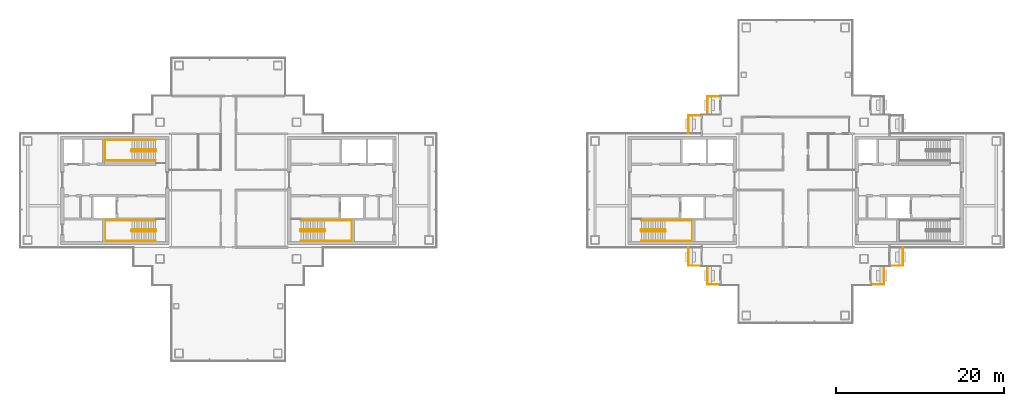
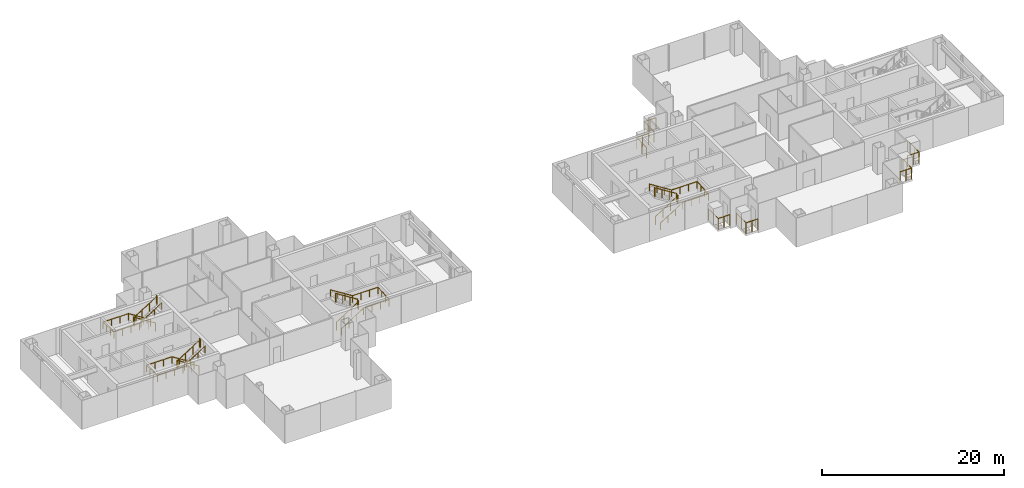
# One storey, part 14 of 16: 14 railings.
"""IFC4 building model written with IfcOpenShell, lengths in metres."""

from ifc_helpers import new_model, si_unit, direction, frame, origin, origin_2d, place, context, subcontext, project, spatial, circle, extrude, material, type_object, element, save


model = new_model("IFC4")

# Units and contexts
model_context = context("Model", 3, precision=1e-05, world=origin(), true_north=direction((0.0, 1.0)))
body_context = subcontext(model_context, "Body", "Model", "MODEL_VIEW")
ifc_project = project(units=[si_unit("LENGTHUNIT", "METRE"), si_unit("AREAUNIT", "SQUARE_METRE"), si_unit("VOLUMEUNIT", "CUBIC_METRE"), si_unit("PLANEANGLEUNIT", "RADIAN"), si_unit("MASSUNIT", "GRAM", prefix="KILO")], contexts=[model_context])

# Site, building, storey
site_placement = place(None, origin())
site = spatial("IfcSite", under=ifc_project, at=site_placement, CompositionType="ELEMENT")
building_placement = place(site_placement, origin())
building = spatial("IfcBuilding", under=site, at=building_placement, Name="Shamsa Quay Exchange Towers", CompositionType="ELEMENT")
storey_placement = place(building_placement, frame((0.0, 0.0, 213.89990234375)))
storey = spatial("IfcBuildingStorey", under=building, at=storey_placement, Name="L51", CompositionType="ELEMENT", Elevation=213.89990234375)

# Railings
ifc_material_1 = material(Name="Steel S355, black powder-coated", Category="steel")
railing_type_1 = type_object("IfcRailingType", Name="BALCONY GUARD 1500", PredefinedType="GUARDRAIL", material=ifc_material_1)
for number, where, name in (
    (1, (24.72900390625, 11.199951171875, 0.0), "Balcony guard T2-PKEN L51"),
    (2, (22.47900390625, 8.949951171875, 0.0), "Balcony guard T2-PKEN L51"),
):
    element("IfcRailing", number, at=place(storey_placement, frame(where)), inside=storey, type_object=railing_type_1, Name=name, PredefinedType="GUARDRAIL", context=body_context, shape_type="SweptSolid", body=[
        extrude(circle(Radius=0.02392578125, at=origin_2d()), frame((0.0, 0.0, 1.47607421875), z_axis=(-1.0, 0.0, 0.0), x_axis=(0.0, -1.0, 0.0)), (0.0, 0.0, 1.0), 1.47900390625),
        extrude(circle(Radius=0.02392578125, at=origin_2d()), frame((-1.47900390625, 0.0, 1.47607421875), z_axis=(0.0, -1.0, 0.0), x_axis=(1.0, 0.0, 0.0)), (0.0, 0.0, 1.0), 2.161865234375),
        extrude(circle(Radius=0.02099609375, at=origin_2d()), origin(), (0.0, 0.0, 1.0), 1.451904296875),
        extrude(circle(Radius=0.02099609375, at=origin_2d()), frame((-0.739501953125, 0.0, 0.0)), (0.0, 0.0, 1.0), 1.451904296875),
        extrude(circle(Radius=0.02099609375, at=origin_2d()), frame((-1.47900390625, 0.0, 0.0)), (0.0, 0.0, 1.0), 1.451904296875),
        extrude(circle(Radius=0.02099609375, at=origin_2d()), frame((-1.47900390625, -1.0810546875, 0.0)), (0.0, 0.0, 1.0), 1.451904296875),
        extrude(circle(Radius=0.02099609375, at=origin_2d()), frame((-1.47900390625, -2.161865234375, 0.0)), (0.0, 0.0, 1.0), 1.451904296875),
    ])
for number, where, name in (
    (3, (21.0, -6.7880859375, 0.0), "Balcony guard T2-PKWN L51"),
    (4, (23.25, -9.0380859375, 0.0), "Balcony guard T2-PKWN L51"),
):
    element("IfcRailing", number, at=place(storey_placement, frame(where)), inside=storey, type_object=railing_type_1, Name=name, PredefinedType="GUARDRAIL", context=body_context, shape_type="SweptSolid", body=[
        extrude(circle(Radius=0.02392578125, at=origin_2d()), frame((0.0, 0.0, 1.47607421875), z_axis=(0.0, -1.0, 0.0), x_axis=(1.0, 0.0, 0.0)), (0.0, 0.0, 1.0), 2.161865234375),
        extrude(circle(Radius=0.02392578125, at=origin_2d()), frame((0.0, -2.161865234375, 1.47607421875), z_axis=(1.0, 0.0, 0.0), x_axis=(0.0, 1.0, 0.0)), (0.0, 0.0, 1.0), 1.47900390625),
        extrude(circle(Radius=0.02099609375, at=origin_2d()), origin(), (0.0, 0.0, 1.0), 1.451904296875),
        extrude(circle(Radius=0.02099609375, at=origin_2d()), frame((0.0, -1.0810546875, 0.0)), (0.0, 0.0, 1.0), 1.451904296875),
        extrude(circle(Radius=0.02099609375, at=origin_2d()), frame((0.0, -2.161865234375, 0.0)), (0.0, 0.0, 1.0), 1.451904296875),
        extrude(circle(Radius=0.02099609375, at=origin_2d()), frame((0.739501953125, -2.161865234375, 0.0)), (0.0, 0.0, 1.0), 1.451904296875),
        extrude(circle(Radius=0.02099609375, at=origin_2d()), frame((1.47900390625, -2.161865234375, 0.0)), (0.0, 0.0, 1.0), 1.451904296875),
    ])
for number, where, name in (
    (5, (42.77099609375, -11.199951171875, 0.0), "Balcony guard T2-PKWS L51"),
    (6, (45.02099609375, -8.949951171875, 0.0), "Balcony guard T2-PKWS L51"),
):
    element("IfcRailing", number, at=place(storey_placement, frame(where)), inside=storey, type_object=railing_type_1, Name=name, PredefinedType="GUARDRAIL", context=body_context, shape_type="SweptSolid", body=[
        extrude(circle(Radius=0.02392578125, at=origin_2d()), frame((0.0, 0.0, 1.47607421875), z_axis=(1.0, 0.0, 0.0), x_axis=(0.0, 1.0, 0.0)), (0.0, 0.0, 1.0), 1.47900390625),
        extrude(circle(Radius=0.02392578125, at=origin_2d()), frame((1.47900390625, 0.0, 1.47607421875), z_axis=(0.0, 1.0, 0.0), x_axis=(-1.0, 0.0, 0.0)), (0.0, 0.0, 1.0), 2.161865234375),
        extrude(circle(Radius=0.02099609375, at=origin_2d()), origin(), (0.0, 0.0, 1.0), 1.451904296875),
        extrude(circle(Radius=0.02099609375, at=origin_2d()), frame((0.739501953125, 0.0, 0.0)), (0.0, 0.0, 1.0), 1.451904296875),
        extrude(circle(Radius=0.02099609375, at=origin_2d()), frame((1.47900390625, 0.0, 0.0)), (0.0, 0.0, 1.0), 1.451904296875),
        extrude(circle(Radius=0.02099609375, at=origin_2d()), frame((1.47900390625, 1.0810546875, 0.0)), (0.0, 0.0, 1.0), 1.451904296875),
        extrude(circle(Radius=0.02099609375, at=origin_2d()), frame((1.47900390625, 2.161865234375, 0.0)), (0.0, 0.0, 1.0), 1.451904296875),
    ])
ifc_material_2 = material(Name="Stainless steel", Category="steel")
railing_type_2 = type_object("IfcRailingType", Name="STAIR GUARD 1100", PredefinedType="GUARDRAIL", material=ifc_material_2)
railing_1_placement = place(storey_placement, frame((-25.10009765625, -4.89990234375, 0.177490234375)))
element("IfcRailing", 7, at=railing_1_placement, inside=storey, type_object=railing_type_2, Name="L51 ST1 stair guard 1", PredefinedType="GUARDRAIL", context=body_context, shape_type="SweptSolid", body=[
    extrude(circle(Radius=0.02392578125, at=origin_2d()), frame((0.0, 0.0, 1.076171875), z_axis=(0.844908973607, 0.0, 0.534910110503), x_axis=(0.0, 1.0, 0.0)), (0.0, 0.0, 1.0), 3.31396484375),
    extrude(circle(Radius=0.02392578125, at=origin_2d()), frame((2.800048828125, 0.0, 2.8486328125), z_axis=(0.708833529934, 0.705375805398, 0.0), x_axis=(-0.705375805398, 0.708833529934, 0.0)), (0.0, 0.0, 1.0), 0.070556640625),
    extrude(circle(Radius=0.02392578125, at=origin_2d()), frame((2.85009765625, 0.0498046875, 2.8486328125), z_axis=(0.0, 1.0, 0.0), x_axis=(-1.0, 0.0, 0.0)), (0.0, 0.0, 1.0), 0.150146484375),
    extrude(circle(Radius=0.02392578125, at=origin_2d()), frame((2.85009765625, 0.199951171875, 2.8486328125), z_axis=(-0.262233686654, 0.262233686654, 0.928691007369), x_axis=(-0.707106781187, -0.707106781187, 0.0)), (0.0, 0.0, 1.0), 0.19091796875),
    extrude(circle(Radius=0.02392578125, at=origin_2d()), frame((2.800048828125, 0.25, 3.02587890625), z_axis=(-0.844908973607, 0.0, 0.534910110503), x_axis=(0.0, -1.0, 0.0)), (0.0, 0.0, 1.0), 3.31396484375),
    extrude(circle(Radius=0.02392578125, at=origin_2d()), frame((0.0, 0.25, 4.798828125), z_axis=(-0.24142163986, -0.970420317083, 0.0), x_axis=(0.970420317083, -0.24142163986, 0.0)), (0.0, 0.0, 1.0), 0.206298828125),
    extrude(circle(Radius=0.02392578125, at=origin_2d()), frame((-0.0498046875, 0.0498046875, 4.798828125), z_axis=(0.0, 1.0, 0.0), x_axis=(-1.0, 0.0, 0.0)), (0.0, 0.0, 1.0), 0.150146484375),
    extrude(circle(Radius=0.02099609375, at=origin_2d()), origin(), (0.0, 0.0, 1.0), 1.052001953125),
    extrude(circle(Radius=0.02099609375, at=origin_2d()), frame((0.933349609375, 0.0, 0.5908203125)), (0.0, 0.0, 1.0), 1.052001953125),
    extrude(circle(Radius=0.02099609375, at=origin_2d()), frame((1.86669921875, 0.0, 1.181884765625)), (0.0, 0.0, 1.0), 1.052001953125),
    extrude(circle(Radius=0.02099609375, at=origin_2d()), frame((2.800048828125, 0.0, 1.772705078125)), (0.0, 0.0, 1.0), 1.052001953125),
    extrude(circle(Radius=0.02099609375, at=origin_2d()), frame((2.85009765625, 0.0498046875, 1.772705078125)), (0.0, 0.0, 1.0), 1.052001953125),
    extrude(circle(Radius=0.02099609375, at=origin_2d()), frame((2.85009765625, 0.199951171875, 1.772705078125)), (0.0, 0.0, 1.0), 1.052001953125),
    extrude(circle(Radius=0.02099609375, at=origin_2d()), frame((2.800048828125, 0.25, 1.949951171875)), (0.0, 0.0, 1.0), 1.052001953125),
    extrude(circle(Radius=0.02099609375, at=origin_2d()), frame((1.86669921875, 0.25, 2.540771484375)), (0.0, 0.0, 1.0), 1.052001953125),
    extrude(circle(Radius=0.02099609375, at=origin_2d()), frame((0.933349609375, 0.25, 3.1318359375)), (0.0, 0.0, 1.0), 1.052001953125),
    extrude(circle(Radius=0.02099609375, at=origin_2d()), frame((0.0, 0.25, 3.72265625)), (0.0, 0.0, 1.0), 1.052001953125),
    extrude(circle(Radius=0.02099609375, at=origin_2d()), frame((-0.0498046875, 0.0498046875, 3.72265625)), (0.0, 0.0, 1.0), 1.052001953125),
    extrude(circle(Radius=0.02099609375, at=origin_2d()), frame((-0.0498046875, 0.199951171875, 3.72265625)), (0.0, 0.0, 1.0), 1.052001953125),
])
railing_2_placement = place(storey_placement, frame((-42.39990234375, -4.64990234375, 0.177490234375)))
element("IfcRailing", 8, at=railing_2_placement, inside=storey, type_object=railing_type_2, Name="L51 ST2 stair guard 1", PredefinedType="GUARDRAIL", context=body_context, shape_type="SweptSolid", body=[
    extrude(circle(Radius=0.02392578125, at=origin_2d()), frame((0.0, 0.0, 1.076171875), z_axis=(-0.844908973607, 0.0, 0.534910110503), x_axis=(0.0, -1.0, 0.0)), (0.0, 0.0, 1.0), 3.31396484375),
    extrude(circle(Radius=0.02392578125, at=origin_2d()), frame((-2.800048828125, 0.0, 2.8486328125), z_axis=(-0.707106781187, -0.707106781187, 0.0), x_axis=(0.707106781187, -0.707106781187, 0.0)), (0.0, 0.0, 1.0), 0.07080078125),
    extrude(circle(Radius=0.02392578125, at=origin_2d()), frame((-2.85009765625, -0.050048828125, 2.8486328125), z_axis=(0.0, -1.0, 0.0), x_axis=(1.0, 0.0, 0.0)), (0.0, 0.0, 1.0), 0.150146484375),
    extrude(circle(Radius=0.02392578125, at=origin_2d()), frame((-2.85009765625, -0.2001953125, 2.8486328125), z_axis=(0.262321481514, -0.261041864531, 0.929001929653), x_axis=(0.705375805398, 0.708833529934, 0.0)), (0.0, 0.0, 1.0), 0.190673828125),
    extrude(circle(Radius=0.02392578125, at=origin_2d()), frame((-2.800048828125, -0.25, 3.02587890625), z_axis=(0.844908973607, 0.0, 0.534910110503), x_axis=(0.0, 1.0, 0.0)), (0.0, 0.0, 1.0), 3.31396484375),
    extrude(circle(Radius=0.02392578125, at=origin_2d()), frame((0.0, -0.25, 4.798828125), z_axis=(0.241699205484, 0.970351222016, 0.0), x_axis=(-0.970351222016, 0.241699205484, 0.0)), (0.0, 0.0, 1.0), 0.2060546875),
    extrude(circle(Radius=0.02392578125, at=origin_2d()), frame((0.0498046875, -0.050048828125, 4.798828125), z_axis=(0.0, -1.0, 0.0), x_axis=(1.0, 0.0, 0.0)), (0.0, 0.0, 1.0), 0.150146484375),
    extrude(circle(Radius=0.02099609375, at=origin_2d()), origin(), (0.0, 0.0, 1.0), 1.052001953125),
    extrude(circle(Radius=0.02099609375, at=origin_2d()), frame((-0.933349609375, 0.0, 0.5908203125)), (0.0, 0.0, 1.0), 1.052001953125),
    extrude(circle(Radius=0.02099609375, at=origin_2d()), frame((-1.86669921875, 0.0, 1.181884765625)), (0.0, 0.0, 1.0), 1.052001953125),
    extrude(circle(Radius=0.02099609375, at=origin_2d()), frame((-2.800048828125, 0.0, 1.772705078125)), (0.0, 0.0, 1.0), 1.052001953125),
    extrude(circle(Radius=0.02099609375, at=origin_2d()), frame((-2.85009765625, -0.050048828125, 1.772705078125)), (0.0, 0.0, 1.0), 1.052001953125),
    extrude(circle(Radius=0.02099609375, at=origin_2d()), frame((-2.85009765625, -0.2001953125, 1.772705078125)), (0.0, 0.0, 1.0), 1.052001953125),
    extrude(circle(Radius=0.02099609375, at=origin_2d()), frame((-2.800048828125, -0.25, 1.949951171875)), (0.0, 0.0, 1.0), 1.052001953125),
    extrude(circle(Radius=0.02099609375, at=origin_2d()), frame((-1.86669921875, -0.25, 2.540771484375)), (0.0, 0.0, 1.0), 1.052001953125),
    extrude(circle(Radius=0.02099609375, at=origin_2d()), frame((-0.933349609375, -0.25, 3.1318359375)), (0.0, 0.0, 1.0), 1.052001953125),
    extrude(circle(Radius=0.02099609375, at=origin_2d()), frame((0.0, -0.25, 3.72265625)), (0.0, 0.0, 1.0), 1.052001953125),
    extrude(circle(Radius=0.02099609375, at=origin_2d()), frame((0.0498046875, -0.050048828125, 3.72265625)), (0.0, 0.0, 1.0), 1.052001953125),
    extrude(circle(Radius=0.02099609375, at=origin_2d()), frame((0.0498046875, -0.2001953125, 3.72265625)), (0.0, 0.0, 1.0), 1.052001953125),
])
railing_3_placement = place(storey_placement, frame((-42.39990234375, 4.89990234375, 0.177490234375)))
element("IfcRailing", 9, at=railing_3_placement, inside=storey, type_object=railing_type_2, Name="L51 ST3 stair guard 1", PredefinedType="GUARDRAIL", context=body_context, shape_type="SweptSolid", body=[
    extrude(circle(Radius=0.02392578125, at=origin_2d()), frame((0.0, 0.0, 1.076171875), z_axis=(-0.844908973607, 0.0, 0.534910110503), x_axis=(0.0, -1.0, 0.0)), (0.0, 0.0, 1.0), 3.31396484375),
    extrude(circle(Radius=0.02392578125, at=origin_2d()), frame((-2.800048828125, 0.0, 2.8486328125), z_axis=(-0.708833529934, -0.705375805398, 0.0), x_axis=(0.705375805398, -0.708833529934, 0.0)), (0.0, 0.0, 1.0), 0.070556640625),
    extrude(circle(Radius=0.02392578125, at=origin_2d()), frame((-2.85009765625, -0.0498046875, 2.8486328125), z_axis=(0.0, -1.0, 0.0), x_axis=(1.0, 0.0, 0.0)), (0.0, 0.0, 1.0), 0.150146484375),
    extrude(circle(Radius=0.02392578125, at=origin_2d()), frame((-2.85009765625, -0.199951171875, 2.8486328125), z_axis=(0.262233686654, -0.262233686654, 0.928691007369), x_axis=(0.707106781187, 0.707106781187, 0.0)), (0.0, 0.0, 1.0), 0.19091796875),
    extrude(circle(Radius=0.02392578125, at=origin_2d()), frame((-2.800048828125, -0.25, 3.02587890625), z_axis=(0.844908973607, 0.0, 0.534910110503), x_axis=(0.0, 1.0, 0.0)), (0.0, 0.0, 1.0), 3.31396484375),
    extrude(circle(Radius=0.02392578125, at=origin_2d()), frame((0.0, -0.25, 4.798828125), z_axis=(0.24142163986, 0.970420317083, 0.0), x_axis=(-0.970420317083, 0.24142163986, 0.0)), (0.0, 0.0, 1.0), 0.206298828125),
    extrude(circle(Radius=0.02392578125, at=origin_2d()), frame((0.0498046875, -0.0498046875, 4.798828125), z_axis=(0.0, -1.0, 0.0), x_axis=(1.0, 0.0, 0.0)), (0.0, 0.0, 1.0), 0.150146484375),
    extrude(circle(Radius=0.02099609375, at=origin_2d()), origin(), (0.0, 0.0, 1.0), 1.052001953125),
    extrude(circle(Radius=0.02099609375, at=origin_2d()), frame((-0.933349609375, 0.0, 0.5908203125)), (0.0, 0.0, 1.0), 1.052001953125),
    extrude(circle(Radius=0.02099609375, at=origin_2d()), frame((-1.86669921875, 0.0, 1.181884765625)), (0.0, 0.0, 1.0), 1.052001953125),
    extrude(circle(Radius=0.02099609375, at=origin_2d()), frame((-2.800048828125, 0.0, 1.772705078125)), (0.0, 0.0, 1.0), 1.052001953125),
    extrude(circle(Radius=0.02099609375, at=origin_2d()), frame((-2.85009765625, -0.0498046875, 1.772705078125)), (0.0, 0.0, 1.0), 1.052001953125),
    extrude(circle(Radius=0.02099609375, at=origin_2d()), frame((-2.85009765625, -0.199951171875, 1.772705078125)), (0.0, 0.0, 1.0), 1.052001953125),
    extrude(circle(Radius=0.02099609375, at=origin_2d()), frame((-2.800048828125, -0.25, 1.949951171875)), (0.0, 0.0, 1.0), 1.052001953125),
    extrude(circle(Radius=0.02099609375, at=origin_2d()), frame((-1.86669921875, -0.25, 2.540771484375)), (0.0, 0.0, 1.0), 1.052001953125),
    extrude(circle(Radius=0.02099609375, at=origin_2d()), frame((-0.933349609375, -0.25, 3.1318359375)), (0.0, 0.0, 1.0), 1.052001953125),
    extrude(circle(Radius=0.02099609375, at=origin_2d()), frame((0.0, -0.25, 3.72265625)), (0.0, 0.0, 1.0), 1.052001953125),
    extrude(circle(Radius=0.02099609375, at=origin_2d()), frame((0.0498046875, -0.0498046875, 3.72265625)), (0.0, 0.0, 1.0), 1.052001953125),
    extrude(circle(Radius=0.02099609375, at=origin_2d()), frame((0.0498046875, -0.199951171875, 3.72265625)), (0.0, 0.0, 1.0), 1.052001953125),
])
railing_4_placement = place(storey_placement, frame((15.39990234375, -4.89990234375, 0.177490234375)))
element("IfcRailing", 10, at=railing_4_placement, inside=storey, type_object=railing_type_2, Name="L51 ST4 stair guard 1", PredefinedType="GUARDRAIL", context=body_context, shape_type="SweptSolid", body=[
    extrude(circle(Radius=0.02392578125, at=origin_2d()), frame((0.0, 0.0, 1.076171875), z_axis=(0.844908973607, 0.0, 0.534910110503), x_axis=(0.0, 1.0, 0.0)), (0.0, 0.0, 1.0), 3.31396484375),
    extrude(circle(Radius=0.02392578125, at=origin_2d()), frame((2.800048828125, 0.0, 2.8486328125), z_axis=(0.708833529934, 0.705375805398, 0.0), x_axis=(-0.705375805398, 0.708833529934, 0.0)), (0.0, 0.0, 1.0), 0.070556640625),
    extrude(circle(Radius=0.02392578125, at=origin_2d()), frame((2.85009765625, 0.0498046875, 2.8486328125), z_axis=(0.0, 1.0, 0.0), x_axis=(-1.0, 0.0, 0.0)), (0.0, 0.0, 1.0), 0.150146484375),
    extrude(circle(Radius=0.02392578125, at=origin_2d()), frame((2.85009765625, 0.199951171875, 2.8486328125), z_axis=(-0.262233686654, 0.262233686654, 0.928691007369), x_axis=(-0.707106781187, -0.707106781187, 0.0)), (0.0, 0.0, 1.0), 0.19091796875),
    extrude(circle(Radius=0.02392578125, at=origin_2d()), frame((2.800048828125, 0.25, 3.02587890625), z_axis=(-0.844908973607, 0.0, 0.534910110503), x_axis=(0.0, -1.0, 0.0)), (0.0, 0.0, 1.0), 3.31396484375),
    extrude(circle(Radius=0.02392578125, at=origin_2d()), frame((0.0, 0.25, 4.798828125), z_axis=(-0.24142163986, -0.970420317083, 0.0), x_axis=(0.970420317083, -0.24142163986, 0.0)), (0.0, 0.0, 1.0), 0.206298828125),
    extrude(circle(Radius=0.02392578125, at=origin_2d()), frame((-0.0498046875, 0.0498046875, 4.798828125), z_axis=(0.0, 1.0, 0.0), x_axis=(-1.0, 0.0, 0.0)), (0.0, 0.0, 1.0), 0.150146484375),
    extrude(circle(Radius=0.02099609375, at=origin_2d()), origin(), (0.0, 0.0, 1.0), 1.052001953125),
    extrude(circle(Radius=0.02099609375, at=origin_2d()), frame((0.933349609375, 0.0, 0.5908203125)), (0.0, 0.0, 1.0), 1.052001953125),
    extrude(circle(Radius=0.02099609375, at=origin_2d()), frame((1.86669921875, 0.0, 1.181884765625)), (0.0, 0.0, 1.0), 1.052001953125),
    extrude(circle(Radius=0.02099609375, at=origin_2d()), frame((2.800048828125, 0.0, 1.772705078125)), (0.0, 0.0, 1.0), 1.052001953125),
    extrude(circle(Radius=0.02099609375, at=origin_2d()), frame((2.85009765625, 0.0498046875, 1.772705078125)), (0.0, 0.0, 1.0), 1.052001953125),
    extrude(circle(Radius=0.02099609375, at=origin_2d()), frame((2.85009765625, 0.199951171875, 1.772705078125)), (0.0, 0.0, 1.0), 1.052001953125),
    extrude(circle(Radius=0.02099609375, at=origin_2d()), frame((2.800048828125, 0.25, 1.949951171875)), (0.0, 0.0, 1.0), 1.052001953125),
    extrude(circle(Radius=0.02099609375, at=origin_2d()), frame((1.86669921875, 0.25, 2.540771484375)), (0.0, 0.0, 1.0), 1.052001953125),
    extrude(circle(Radius=0.02099609375, at=origin_2d()), frame((0.933349609375, 0.25, 3.1318359375)), (0.0, 0.0, 1.0), 1.052001953125),
    extrude(circle(Radius=0.02099609375, at=origin_2d()), frame((0.0, 0.25, 3.72265625)), (0.0, 0.0, 1.0), 1.052001953125),
    extrude(circle(Radius=0.02099609375, at=origin_2d()), frame((-0.0498046875, 0.0498046875, 3.72265625)), (0.0, 0.0, 1.0), 1.052001953125),
    extrude(circle(Radius=0.02099609375, at=origin_2d()), frame((-0.0498046875, 0.199951171875, 3.72265625)), (0.0, 0.0, 1.0), 1.052001953125),
])
railing_type_3 = type_object("IfcRailingType", Name="STAIR HANDRAIL 900", PredefinedType="HANDRAIL", material=ifc_material_2)
railing_5_placement = place(storey_placement, frame((-25.10009765625, -6.0, 0.177490234375)))
element("IfcRailing", 11, at=railing_5_placement, inside=storey, type_object=railing_type_3, Name="L51 ST1 stair handrail 1", PredefinedType="HANDRAIL", context=body_context, shape_type="SweptSolid", body=[
    extrude(circle(Radius=0.02392578125, at=origin_2d()), frame((0.0, 0.0, 0.8759765625), z_axis=(0.844908973607, 0.0, 0.534910110503), x_axis=(0.0, 1.0, 0.0)), (0.0, 0.0, 1.0), 3.31396484375),
    extrude(circle(Radius=0.02392578125, at=origin_2d()), frame((2.800048828125, 0.0, 2.6484375), z_axis=(1.0, 0.0, 0.0), x_axis=(0.0, 1.0, 0.0)), (0.0, 0.0, 1.0), 3.25),
    extrude(circle(Radius=0.02392578125, at=origin_2d()), frame((6.050048828125, 0.0, 2.6484375), z_axis=(0.0, 0.997393199914, 0.07215819264), x_axis=(-1.0, 0.0, 0.0)), (0.0, 0.0, 1.0), 2.456298828125),
    extrude(circle(Radius=0.02392578125, at=origin_2d()), frame((6.050048828125, 2.449951171875, 2.82568359375), z_axis=(-1.0, 0.0, 0.0), x_axis=(0.0, -1.0, 0.0)), (0.0, 0.0, 1.0), 3.25),
    extrude(circle(Radius=0.02392578125, at=origin_2d()), frame((2.800048828125, 2.449951171875, 2.82568359375), z_axis=(-0.844908973607, 0.0, 0.534910110503), x_axis=(0.0, -1.0, 0.0)), (0.0, 0.0, 1.0), 3.31396484375),
    extrude(circle(Radius=0.02099609375, at=origin_2d()), origin(), (0.0, 0.0, 1.0), 0.851806640625),
    extrude(circle(Radius=0.02099609375, at=origin_2d()), frame((0.933349609375, 0.0, 0.5908203125)), (0.0, 0.0, 1.0), 0.851806640625),
    extrude(circle(Radius=0.02099609375, at=origin_2d()), frame((1.86669921875, 0.0, 1.181884765625)), (0.0, 0.0, 1.0), 0.851806640625),
    extrude(circle(Radius=0.02099609375, at=origin_2d()), frame((2.800048828125, 0.0, 1.772705078125)), (0.0, 0.0, 1.0), 0.851806640625),
    extrude(circle(Radius=0.02099609375, at=origin_2d()), frame((3.88330078125, 0.0, 1.772705078125)), (0.0, 0.0, 1.0), 0.851806640625),
    extrude(circle(Radius=0.02099609375, at=origin_2d()), frame((4.966796875, 0.0, 1.772705078125)), (0.0, 0.0, 1.0), 0.851806640625),
    extrude(circle(Radius=0.02099609375, at=origin_2d()), frame((6.050048828125, 0.0, 1.772705078125)), (0.0, 0.0, 1.0), 0.851806640625),
    extrude(circle(Radius=0.02099609375, at=origin_2d()), frame((6.050048828125, 0.816650390625, 1.831787109375)), (0.0, 0.0, 1.0), 0.851806640625),
    extrude(circle(Radius=0.02099609375, at=origin_2d()), frame((6.050048828125, 1.63330078125, 1.890869140625)), (0.0, 0.0, 1.0), 0.851806640625),
    extrude(circle(Radius=0.02099609375, at=origin_2d()), frame((6.050048828125, 2.449951171875, 1.949951171875)), (0.0, 0.0, 1.0), 0.851806640625),
    extrude(circle(Radius=0.02099609375, at=origin_2d()), frame((4.966796875, 2.449951171875, 1.949951171875)), (0.0, 0.0, 1.0), 0.851806640625),
    extrude(circle(Radius=0.02099609375, at=origin_2d()), frame((3.88330078125, 2.449951171875, 1.949951171875)), (0.0, 0.0, 1.0), 0.851806640625),
    extrude(circle(Radius=0.02099609375, at=origin_2d()), frame((2.800048828125, 2.449951171875, 1.949951171875)), (0.0, 0.0, 1.0), 0.851806640625),
    extrude(circle(Radius=0.02099609375, at=origin_2d()), frame((1.86669921875, 2.449951171875, 2.540771484375)), (0.0, 0.0, 1.0), 0.851806640625),
    extrude(circle(Radius=0.02099609375, at=origin_2d()), frame((0.933349609375, 2.449951171875, 3.1318359375)), (0.0, 0.0, 1.0), 0.851806640625),
    extrude(circle(Radius=0.02099609375, at=origin_2d()), frame((0.0, 2.449951171875, 3.72265625)), (0.0, 0.0, 1.0), 0.851806640625),
])
railing_6_placement = place(storey_placement, frame((-42.39990234375, -3.550048828125, 0.177490234375)))
element("IfcRailing", 12, at=railing_6_placement, inside=storey, type_object=railing_type_3, Name="L51 ST2 stair handrail 1", PredefinedType="HANDRAIL", context=body_context, shape_type="SweptSolid", body=[
    extrude(circle(Radius=0.02392578125, at=origin_2d()), frame((0.0, 0.0, 0.8759765625), z_axis=(-0.844908973607, 0.0, 0.534910110503), x_axis=(0.0, -1.0, 0.0)), (0.0, 0.0, 1.0), 3.31396484375),
    extrude(circle(Radius=0.02392578125, at=origin_2d()), frame((-2.800048828125, 0.0, 2.6484375), z_axis=(-1.0, 0.0, 0.0), x_axis=(0.0, -1.0, 0.0)), (0.0, 0.0, 1.0), 3.25),
    extrude(circle(Radius=0.02392578125, at=origin_2d()), frame((-6.050048828125, 0.0, 2.6484375), z_axis=(0.0, -0.997393199914, 0.07215819264), x_axis=(1.0, 0.0, 0.0)), (0.0, 0.0, 1.0), 2.456298828125),
    extrude(circle(Radius=0.02392578125, at=origin_2d()), frame((-6.050048828125, -2.449951171875, 2.82568359375), z_axis=(1.0, 0.0, 0.0), x_axis=(0.0, 1.0, 0.0)), (0.0, 0.0, 1.0), 3.25),
    extrude(circle(Radius=0.02392578125, at=origin_2d()), frame((-2.800048828125, -2.449951171875, 2.82568359375), z_axis=(0.844908973607, 0.0, 0.534910110503), x_axis=(0.0, 1.0, 0.0)), (0.0, 0.0, 1.0), 3.31396484375),
    extrude(circle(Radius=0.02099609375, at=origin_2d()), origin(), (0.0, 0.0, 1.0), 0.851806640625),
    extrude(circle(Radius=0.02099609375, at=origin_2d()), frame((-0.933349609375, 0.0, 0.5908203125)), (0.0, 0.0, 1.0), 0.851806640625),
    extrude(circle(Radius=0.02099609375, at=origin_2d()), frame((-1.86669921875, 0.0, 1.181884765625)), (0.0, 0.0, 1.0), 0.851806640625),
    extrude(circle(Radius=0.02099609375, at=origin_2d()), frame((-2.800048828125, 0.0, 1.772705078125)), (0.0, 0.0, 1.0), 0.851806640625),
    extrude(circle(Radius=0.02099609375, at=origin_2d()), frame((-3.88330078125, 0.0, 1.772705078125)), (0.0, 0.0, 1.0), 0.851806640625),
    extrude(circle(Radius=0.02099609375, at=origin_2d()), frame((-4.966796875, 0.0, 1.772705078125)), (0.0, 0.0, 1.0), 0.851806640625),
    extrude(circle(Radius=0.02099609375, at=origin_2d()), frame((-6.050048828125, 0.0, 1.772705078125)), (0.0, 0.0, 1.0), 0.851806640625),
    extrude(circle(Radius=0.02099609375, at=origin_2d()), frame((-6.050048828125, -0.816650390625, 1.831787109375)), (0.0, 0.0, 1.0), 0.851806640625),
    extrude(circle(Radius=0.02099609375, at=origin_2d()), frame((-6.050048828125, -1.63330078125, 1.890869140625)), (0.0, 0.0, 1.0), 0.851806640625),
    extrude(circle(Radius=0.02099609375, at=origin_2d()), frame((-6.050048828125, -2.449951171875, 1.949951171875)), (0.0, 0.0, 1.0), 0.851806640625),
    extrude(circle(Radius=0.02099609375, at=origin_2d()), frame((-4.966796875, -2.449951171875, 1.949951171875)), (0.0, 0.0, 1.0), 0.851806640625),
    extrude(circle(Radius=0.02099609375, at=origin_2d()), frame((-3.88330078125, -2.449951171875, 1.949951171875)), (0.0, 0.0, 1.0), 0.851806640625),
    extrude(circle(Radius=0.02099609375, at=origin_2d()), frame((-2.800048828125, -2.449951171875, 1.949951171875)), (0.0, 0.0, 1.0), 0.851806640625),
    extrude(circle(Radius=0.02099609375, at=origin_2d()), frame((-1.86669921875, -2.449951171875, 2.540771484375)), (0.0, 0.0, 1.0), 0.851806640625),
    extrude(circle(Radius=0.02099609375, at=origin_2d()), frame((-0.933349609375, -2.449951171875, 3.1318359375)), (0.0, 0.0, 1.0), 0.851806640625),
    extrude(circle(Radius=0.02099609375, at=origin_2d()), frame((0.0, -2.449951171875, 3.72265625)), (0.0, 0.0, 1.0), 0.851806640625),
])
railing_7_placement = place(storey_placement, frame((-42.39990234375, 6.0, 0.177490234375)))
element("IfcRailing", 13, at=railing_7_placement, inside=storey, type_object=railing_type_3, Name="L51 ST3 stair handrail 1", PredefinedType="HANDRAIL", context=body_context, shape_type="SweptSolid", body=[
    extrude(circle(Radius=0.02392578125, at=origin_2d()), frame((0.0, 0.0, 0.8759765625), z_axis=(-0.844908973607, 0.0, 0.534910110503), x_axis=(0.0, -1.0, 0.0)), (0.0, 0.0, 1.0), 3.31396484375),
    extrude(circle(Radius=0.02392578125, at=origin_2d()), frame((-2.800048828125, 0.0, 2.6484375), z_axis=(-1.0, 0.0, 0.0), x_axis=(0.0, -1.0, 0.0)), (0.0, 0.0, 1.0), 3.25),
    extrude(circle(Radius=0.02392578125, at=origin_2d()), frame((-6.050048828125, 0.0, 2.6484375), z_axis=(0.0, -0.997393199914, 0.07215819264), x_axis=(1.0, 0.0, 0.0)), (0.0, 0.0, 1.0), 2.456298828125),
    extrude(circle(Radius=0.02392578125, at=origin_2d()), frame((-6.050048828125, -2.449951171875, 2.82568359375), z_axis=(1.0, 0.0, 0.0), x_axis=(0.0, 1.0, 0.0)), (0.0, 0.0, 1.0), 3.25),
    extrude(circle(Radius=0.02392578125, at=origin_2d()), frame((-2.800048828125, -2.449951171875, 2.82568359375), z_axis=(0.844908973607, 0.0, 0.534910110503), x_axis=(0.0, 1.0, 0.0)), (0.0, 0.0, 1.0), 3.31396484375),
    extrude(circle(Radius=0.02099609375, at=origin_2d()), origin(), (0.0, 0.0, 1.0), 0.851806640625),
    extrude(circle(Radius=0.02099609375, at=origin_2d()), frame((-0.933349609375, 0.0, 0.5908203125)), (0.0, 0.0, 1.0), 0.851806640625),
    extrude(circle(Radius=0.02099609375, at=origin_2d()), frame((-1.86669921875, 0.0, 1.181884765625)), (0.0, 0.0, 1.0), 0.851806640625),
    extrude(circle(Radius=0.02099609375, at=origin_2d()), frame((-2.800048828125, 0.0, 1.772705078125)), (0.0, 0.0, 1.0), 0.851806640625),
    extrude(circle(Radius=0.02099609375, at=origin_2d()), frame((-3.88330078125, 0.0, 1.772705078125)), (0.0, 0.0, 1.0), 0.851806640625),
    extrude(circle(Radius=0.02099609375, at=origin_2d()), frame((-4.966796875, 0.0, 1.772705078125)), (0.0, 0.0, 1.0), 0.851806640625),
    extrude(circle(Radius=0.02099609375, at=origin_2d()), frame((-6.050048828125, 0.0, 1.772705078125)), (0.0, 0.0, 1.0), 0.851806640625),
    extrude(circle(Radius=0.02099609375, at=origin_2d()), frame((-6.050048828125, -0.816650390625, 1.831787109375)), (0.0, 0.0, 1.0), 0.851806640625),
    extrude(circle(Radius=0.02099609375, at=origin_2d()), frame((-6.050048828125, -1.63330078125, 1.890869140625)), (0.0, 0.0, 1.0), 0.851806640625),
    extrude(circle(Radius=0.02099609375, at=origin_2d()), frame((-6.050048828125, -2.449951171875, 1.949951171875)), (0.0, 0.0, 1.0), 0.851806640625),
    extrude(circle(Radius=0.02099609375, at=origin_2d()), frame((-4.966796875, -2.449951171875, 1.949951171875)), (0.0, 0.0, 1.0), 0.851806640625),
    extrude(circle(Radius=0.02099609375, at=origin_2d()), frame((-3.88330078125, -2.449951171875, 1.949951171875)), (0.0, 0.0, 1.0), 0.851806640625),
    extrude(circle(Radius=0.02099609375, at=origin_2d()), frame((-2.800048828125, -2.449951171875, 1.949951171875)), (0.0, 0.0, 1.0), 0.851806640625),
    extrude(circle(Radius=0.02099609375, at=origin_2d()), frame((-1.86669921875, -2.449951171875, 2.540771484375)), (0.0, 0.0, 1.0), 0.851806640625),
    extrude(circle(Radius=0.02099609375, at=origin_2d()), frame((-0.933349609375, -2.449951171875, 3.1318359375)), (0.0, 0.0, 1.0), 0.851806640625),
    extrude(circle(Radius=0.02099609375, at=origin_2d()), frame((0.0, -2.449951171875, 3.72265625)), (0.0, 0.0, 1.0), 0.851806640625),
])
railing_8_placement = place(storey_placement, frame((15.39990234375, -6.0, 0.177490234375)))
element("IfcRailing", 14, at=railing_8_placement, inside=storey, type_object=railing_type_3, Name="L51 ST4 stair handrail 1", PredefinedType="HANDRAIL", context=body_context, shape_type="SweptSolid", body=[
    extrude(circle(Radius=0.02392578125, at=origin_2d()), frame((0.0, 0.0, 0.8759765625), z_axis=(0.844908973607, 0.0, 0.534910110503), x_axis=(0.0, 1.0, 0.0)), (0.0, 0.0, 1.0), 3.31396484375),
    extrude(circle(Radius=0.02392578125, at=origin_2d()), frame((2.800048828125, 0.0, 2.6484375), z_axis=(1.0, 0.0, 0.0), x_axis=(0.0, 1.0, 0.0)), (0.0, 0.0, 1.0), 3.25),
    extrude(circle(Radius=0.02392578125, at=origin_2d()), frame((6.050048828125, 0.0, 2.6484375), z_axis=(0.0, 0.997393199914, 0.07215819264), x_axis=(-1.0, 0.0, 0.0)), (0.0, 0.0, 1.0), 2.456298828125),
    extrude(circle(Radius=0.02392578125, at=origin_2d()), frame((6.050048828125, 2.449951171875, 2.82568359375), z_axis=(-1.0, 0.0, 0.0), x_axis=(0.0, -1.0, 0.0)), (0.0, 0.0, 1.0), 3.25),
    extrude(circle(Radius=0.02392578125, at=origin_2d()), frame((2.800048828125, 2.449951171875, 2.82568359375), z_axis=(-0.844908973607, 0.0, 0.534910110503), x_axis=(0.0, -1.0, 0.0)), (0.0, 0.0, 1.0), 3.31396484375),
    extrude(circle(Radius=0.02099609375, at=origin_2d()), origin(), (0.0, 0.0, 1.0), 0.851806640625),
    extrude(circle(Radius=0.02099609375, at=origin_2d()), frame((0.933349609375, 0.0, 0.5908203125)), (0.0, 0.0, 1.0), 0.851806640625),
    extrude(circle(Radius=0.02099609375, at=origin_2d()), frame((1.86669921875, 0.0, 1.181884765625)), (0.0, 0.0, 1.0), 0.851806640625),
    extrude(circle(Radius=0.02099609375, at=origin_2d()), frame((2.800048828125, 0.0, 1.772705078125)), (0.0, 0.0, 1.0), 0.851806640625),
    extrude(circle(Radius=0.02099609375, at=origin_2d()), frame((3.88330078125, 0.0, 1.772705078125)), (0.0, 0.0, 1.0), 0.851806640625),
    extrude(circle(Radius=0.02099609375, at=origin_2d()), frame((4.966796875, 0.0, 1.772705078125)), (0.0, 0.0, 1.0), 0.851806640625),
    extrude(circle(Radius=0.02099609375, at=origin_2d()), frame((6.050048828125, 0.0, 1.772705078125)), (0.0, 0.0, 1.0), 0.851806640625),
    extrude(circle(Radius=0.02099609375, at=origin_2d()), frame((6.050048828125, 0.816650390625, 1.831787109375)), (0.0, 0.0, 1.0), 0.851806640625),
    extrude(circle(Radius=0.02099609375, at=origin_2d()), frame((6.050048828125, 1.63330078125, 1.890869140625)), (0.0, 0.0, 1.0), 0.851806640625),
    extrude(circle(Radius=0.02099609375, at=origin_2d()), frame((6.050048828125, 2.449951171875, 1.949951171875)), (0.0, 0.0, 1.0), 0.851806640625),
    extrude(circle(Radius=0.02099609375, at=origin_2d()), frame((4.966796875, 2.449951171875, 1.949951171875)), (0.0, 0.0, 1.0), 0.851806640625),
    extrude(circle(Radius=0.02099609375, at=origin_2d()), frame((3.88330078125, 2.449951171875, 1.949951171875)), (0.0, 0.0, 1.0), 0.851806640625),
    extrude(circle(Radius=0.02099609375, at=origin_2d()), frame((2.800048828125, 2.449951171875, 1.949951171875)), (0.0, 0.0, 1.0), 0.851806640625),
    extrude(circle(Radius=0.02099609375, at=origin_2d()), frame((1.86669921875, 2.449951171875, 2.540771484375)), (0.0, 0.0, 1.0), 0.851806640625),
    extrude(circle(Radius=0.02099609375, at=origin_2d()), frame((0.933349609375, 2.449951171875, 3.1318359375)), (0.0, 0.0, 1.0), 0.851806640625),
    extrude(circle(Radius=0.02099609375, at=origin_2d()), frame((0.0, 2.449951171875, 3.72265625)), (0.0, 0.0, 1.0), 0.851806640625),
])

save(model, "model.ifc")
